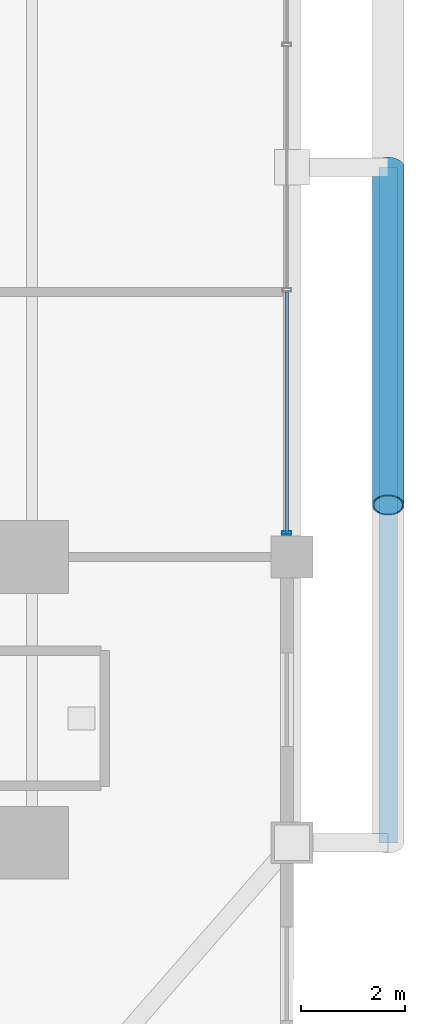
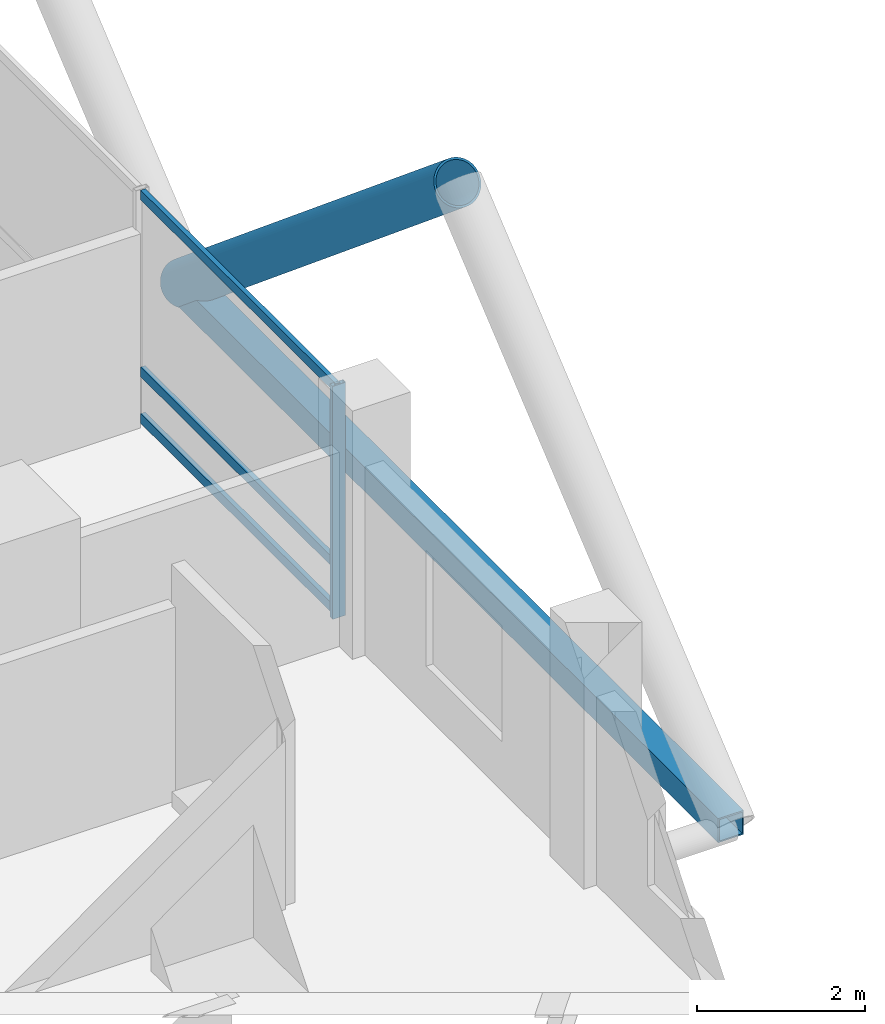
# One storey, part 10 of 26: 6 members, 1 element without a shape of its own.
"""IFC4 building model written with IfcOpenShell, lengths in metres."""

from ifc_helpers import new_model, si_unit, direction, frame, origin, origin_2d, place, context, subcontext, project, spatial, hollow_rectangle, hollow_circle, extrude, material, layer, layer_set, material_profile, profile_set, type_object, element, aggregate, save


model = new_model("IFC4")

# Units and contexts
model_context = context("Model", 3, precision=1e-05, world=origin(), true_north=direction((0.0, 1.0)))
body_context = subcontext(model_context, "Body", "Model", "MODEL_VIEW")
ifc_project = project(units=[si_unit("LENGTHUNIT", "METRE"), si_unit("AREAUNIT", "SQUARE_METRE"), si_unit("VOLUMEUNIT", "CUBIC_METRE"), si_unit("PLANEANGLEUNIT", "RADIAN"), si_unit("MASSUNIT", "GRAM", prefix="KILO")], contexts=[model_context])

# Site, building, storey
site_placement = place(None, origin())
site = spatial("IfcSite", under=ifc_project, at=site_placement, CompositionType="ELEMENT")
building_placement = place(site_placement, origin())
building = spatial("IfcBuilding", under=site, at=building_placement, Name="Barlavira Tower and Art Museum", CompositionType="ELEMENT")
storey_placement = place(building_placement, frame((0.0, 0.0, 82.800048828125)))
storey = spatial("IfcBuildingStorey", under=building, at=storey_placement, Name="L20", CompositionType="ELEMENT", Elevation=82.800048828125)

# Curtain wall, members
ifc_material_1 = material(Name="Low-iron coastal laminated glass", Category="glass")
ifc_layer = layer(ifc_material_1, 0.179931640625, Name="Low-iron coastal laminated glass")
ifc_layer_set = layer_set([ifc_layer], Name="Low-iron coastal laminated glass")
curtain_wall_type = type_object("IfcCurtainWallType", Name="Pale-Metal Unitised Curtain Wall Zone 1", PredefinedType="NOTDEFINED", material=ifc_layer_set)
curtain_wall_placement = place(storey_placement, origin())
curtain_wall = element("IfcCurtainWall", 1, at=curtain_wall_placement, inside=storey, type_object=curtain_wall_type, Name="L20 Curtain Wall CW1-L20-E-B3", PredefinedType="NOTDEFINED")
ifc_material_2 = material(Name="Pale anodised aluminium", Category="aluminium")
ifc_material_profile_1 = material_profile(ifc_material_2, hollow_rectangle(XDim=0.06494140625, YDim=0.179931640625, WallThickness=0.00390625, at=origin_2d()), Name="ALU-MULL 65x180x4")
ifc_profile_set_1 = profile_set([ifc_material_profile_1], Name="Pale anodised aluminium")
member_type_1 = type_object("IfcMemberType", Name="Curtain Wall Pale-Metal Mullion 65x180", PredefinedType="MULLION", material=ifc_profile_set_1)
member_1_placement = place(storey_placement, frame((21.89990234375, -7.034912109375, 0.0), z_axis=(0.0, 0.0, 1.0), x_axis=(0.0, 1.0, 0.0)))
member_1 = element("IfcMember", 2, at=member_1_placement, type_object=member_type_1, Name="CW1-L20-E-B3 Mullion 0", PredefinedType="MULLION", context=body_context, shape_type="SweptSolid", body=[
    extrude(hollow_rectangle(XDim=0.06494140625, YDim=0.179931640625, WallThickness=0.00390625, at=origin_2d()), origin(), (0.0, 0.0, 1.0), 3.3798828125),
])
ifc_material_profile_2 = material_profile(ifc_material_2, hollow_rectangle(XDim=0.06494140625, YDim=0.139892578125, WallThickness=0.00390625, at=origin_2d()), Name="ALU-TRAN 65x140x4")
ifc_profile_set_2 = profile_set([ifc_material_profile_2], Name="Pale anodised aluminium")
member_type_2 = type_object("IfcMemberType", Name="Curtain Wall Pale-Metal Transom 65x140", PredefinedType="USERDEFINED", material=ifc_profile_set_2)
member_2_placement = place(storey_placement, frame((21.89990234375, -7.034912109375, 0.070068359375), z_axis=(0.0, 1.0, 0.0), x_axis=(-1.0, 0.0, 0.0)))
member_2 = element("IfcMember", 3, at=member_2_placement, type_object=member_type_2, Name="CW1-L20-E-B3 Transom 0.1", ObjectType="TRANSOM", PredefinedType="USERDEFINED", context=body_context, shape_type="SweptSolid", body=[
    extrude(hollow_rectangle(XDim=0.06494140625, YDim=0.139892578125, WallThickness=0.00390625, at=origin_2d()), origin(), (0.0, 0.0, 1.0), 4.6298828125),
])
member_3_placement = place(storey_placement, frame((21.89990234375, -7.034912109375, 0.743896484375), z_axis=(0.0, 1.0, 0.0), x_axis=(-1.0, 0.0, 0.0)))
member_3 = element("IfcMember", 4, at=member_3_placement, type_object=member_type_2, Name="CW1-L20-E-B3 Transom 0.2", ObjectType="TRANSOM", PredefinedType="USERDEFINED", context=body_context, shape_type="SweptSolid", body=[
    extrude(hollow_rectangle(XDim=0.06494140625, YDim=0.139892578125, WallThickness=0.00390625, at=origin_2d()), origin(), (0.0, 0.0, 1.0), 4.6298828125),
])
member_4_placement = place(storey_placement, frame((21.89990234375, -7.034912109375, 3.31005859375), z_axis=(0.0, 1.0, 0.0), x_axis=(-1.0, 0.0, 0.0)))
member_4 = element("IfcMember", 5, at=member_4_placement, type_object=member_type_2, Name="CW1-L20-E-B3 Transom 0.3", ObjectType="TRANSOM", PredefinedType="USERDEFINED", context=body_context, shape_type="SweptSolid", body=[
    extrude(hollow_rectangle(XDim=0.06494140625, YDim=0.139892578125, WallThickness=0.00390625, at=origin_2d()), origin(), (0.0, 0.0, 1.0), 4.6298828125),
])
aggregate(curtain_wall, [member_1, member_2, member_3, member_4])

# Members
ifc_material_3 = material(Name="Steel S355", Category="steel")
ifc_material_profile_3 = material_profile(ifc_material_3, hollow_circle(Radius=0.304931640625, WallThickness=0.028076171875, at=origin_2d()), Name="CHS 610.0x28.0")
ifc_profile_set_3 = profile_set([ifc_material_profile_3], Name="Steel S355")
member_type_3 = type_object("IfcMemberType", Name="Pale-Metal Exoskeleton Diagrid Tube CHS 610x28 Steel S355", PredefinedType="BRACE", material=ifc_profile_set_3)
member_5_placement = place(storey_placement, frame((23.85009765625, 0.0, -0.1201171875), z_axis=(0.0, -0.76918185268, 0.639029950399), x_axis=(1.0, 0.0, 0.0)))
element("IfcMember", 6, at=member_5_placement, inside=storey, type_object=member_type_3, Name="L20 Exoskeleton Diagrid Tube E", PredefinedType="BRACE", context=body_context, shape_type="SweptSolid", body=[
    extrude(hollow_circle(Radius=0.304931640625, WallThickness=0.028076171875, at=origin_2d()), origin(), (0.0, 0.0, 1.0), 8.450439453125),
])
ifc_material_profile_4 = material_profile(ifc_material_3, hollow_rectangle(XDim=0.35009765625, YDim=0.35009765625, WallThickness=0.02001953125, at=origin_2d()), Name="SHS 350x350x20.0")
ifc_profile_set_4 = profile_set([ifc_material_profile_4], Name="Steel S355")
member_type_4 = type_object("IfcMemberType", Name="Pale-Metal Exoskeleton Ring Strut SHS 350x350x20 Steel S355", PredefinedType="STRUT", material=ifc_profile_set_4)
member_6_placement = place(storey_placement, frame((23.85009765625, -13.0, -0.1201171875), z_axis=(0.0, 1.0, 0.0), x_axis=(-1.0, 0.0, 0.0)))
element("IfcMember", 7, at=member_6_placement, inside=storey, type_object=member_type_4, Name="L20 Exoskeleton Ring Strut E", PredefinedType="STRUT", context=body_context, shape_type="SweptSolid", body=[
    extrude(hollow_rectangle(XDim=0.35009765625, YDim=0.35009765625, WallThickness=0.02001953125, at=origin_2d()), origin(), (0.0, 0.0, 1.0), 13.0),
])

save(model, "model.ifc")
